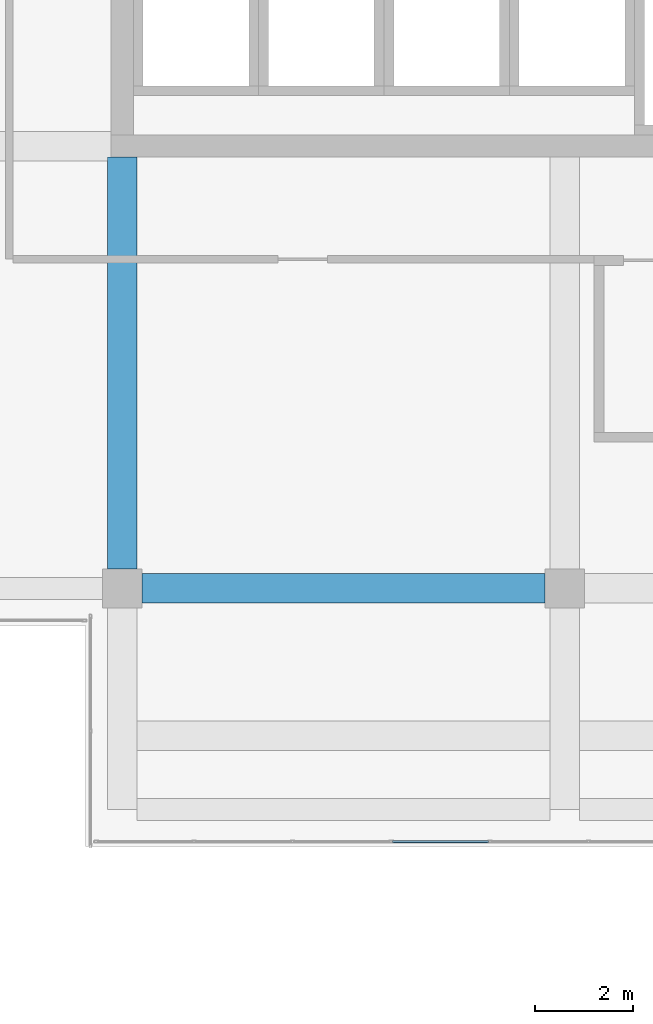
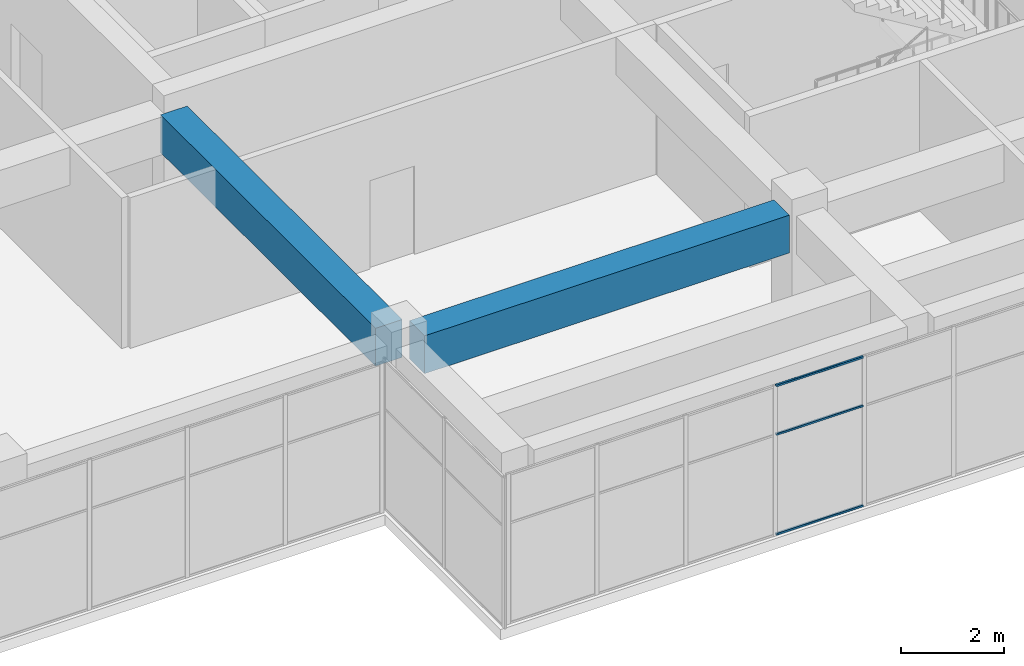
# One storey, part 26 of 72: 3 members, 2 beams, 1 element without a shape of its own.
"""IFC4 building model written with IfcOpenShell, lengths in metres."""

import ifcopenshell
import ifcopenshell.guid

model = None  # the IFC model being written
_history = None  # IfcOwnerHistory: only IFC2X3 demands one
_inside = {}  # id of a spatial element -> (the spatial element, [elements in it])
_under = {}  # id of a project, library or spatial element -> (it, [spatial elements below it])
_declared = {}  # id of a project -> (the project, [libraries it declares])
_typed = {}  # id of a type object -> (the type object, [elements of that type])
_made_of = {}  # id of a material, layer set ... -> (it, [elements and type objects made of it])


def new_model(schema):
    """Start an empty IFC model of exactly this schema.

    Asked for "IFC4X3", IfcOpenShell would pick the latest addendum, in which some entities
    have other attributes; the version numbers below select the first issue.
    IFC2X3 requires an IfcOwnerHistory on every rooted entity: one is made here for all.
    """
    global model, _history
    if schema == "IFC4X3":
        model = ifcopenshell.file(schema_version=(4, 3, 0, 0))
    else:
        model = ifcopenshell.file(schema=schema)
    _inside.clear()
    _under.clear()
    _declared.clear()
    _typed.clear()
    _made_of.clear()
    _history = None
    if model.schema == "IFC2X3":
        org = make("IfcOrganization", Name="unknown")
        user = make(
            "IfcPersonAndOrganization",
            ThePerson=make("IfcPerson", FamilyName="unknown"),
            TheOrganization=org,
        )
        app = make(
            "IfcApplication",
            ApplicationDeveloper=org,
            Version="unknown",
            ApplicationFullName="unknown",
            ApplicationIdentifier="unknown",
        )
        _history = make(
            "IfcOwnerHistory",
            OwningUser=user,
            OwningApplication=app,
            ChangeAction="ADDED",
            CreationDate=0,
        )
    return model


def make(cls, **values):
    """One entity of the class cls with the attributes given. An attribute that is None is left unset."""
    return model.create_entity(
        cls, **{name: value for name, value in values.items() if value is not None}
    )


def rooted(cls, **values):
    """An entity with a GlobalId (a new one), such as an element, a storey or a relation."""
    return make(cls, GlobalId=ifcopenshell.guid.new(), OwnerHistory=_history, **values)


def si_unit(unit_type, name, prefix=None):
    """IfcSIUnit, for example si_unit("LENGTHUNIT", "METRE", prefix="MILLI")."""
    return make("IfcSIUnit", UnitType=unit_type, Prefix=prefix, Name=name)


def assignment(units):
    """IfcUnitAssignment: the units of a project."""
    return None if units is None else make("IfcUnitAssignment", Units=units)


def point(xyz):
    """IfcCartesianPoint."""
    return None if xyz is None else make("IfcCartesianPoint", Coordinates=xyz)


def direction(xyz):
    """IfcDirection."""
    return None if xyz is None else make("IfcDirection", DirectionRatios=xyz)


def frame(location, z_axis=None, x_axis=None):
    """IfcAxis2Placement3D, a coordinate frame: its origin and axes. An axis left out is left unset."""
    return make(
        "IfcAxis2Placement3D",
        Location=point(location),
        Axis=direction(z_axis),
        RefDirection=direction(x_axis),
    )


def frame_2d(location, x_axis=None):
    """IfcAxis2Placement2D, a coordinate frame in the plane: its origin and x axis."""
    return make(
        "IfcAxis2Placement2D", Location=point(location), RefDirection=direction(x_axis)
    )


def origin():
    """The frame at (0, 0, 0) with its axes left unset."""
    return frame((0.0, 0.0, 0.0))


def origin_2d():
    """The frame at (0, 0) in the plane with its x axis left unset."""
    return frame_2d((0.0, 0.0))


def place(relative_to, where):
    """IfcLocalPlacement: puts the frame where relative to a parent placement (None: the world)."""
    return make(
        "IfcLocalPlacement", PlacementRelTo=relative_to, RelativePlacement=where
    )


def context(
    kind, dimensions, precision=None, world=None, true_north=None, identifier=None
):
    """IfcGeometricRepresentationContext, for example the 3D "Model" context."""
    return make(
        "IfcGeometricRepresentationContext",
        ContextIdentifier=identifier,
        ContextType=kind,
        CoordinateSpaceDimension=dimensions,
        Precision=precision,
        WorldCoordinateSystem=world,
        TrueNorth=true_north,
    )


def subcontext(parent, identifier, kind, view, scale=None):
    """IfcGeometricRepresentationSubContext, for example "Body" below "Model"."""
    return make(
        "IfcGeometricRepresentationSubContext",
        ContextIdentifier=identifier,
        ContextType=kind,
        ParentContext=parent,
        TargetScale=scale,
        TargetView=view,
    )


def project(units=None, contexts=None):
    """IfcProject with its units and contexts."""
    return rooted(
        "IfcProject",
        Name="project",
        RepresentationContexts=contexts,
        UnitsInContext=assignment(units),
    )


def spatial(cls, under=None, at=None, **own):
    """A site, building, storey or space (cls), placed at a placement, below another one or the project."""
    s = rooted(cls, ObjectPlacement=at, **own)
    if under is not None:
        _under.setdefault(under.id(), (under, []))[1].append(s)
    return s


def profile(cls, at=None, kind="AREA", **sizes):
    """A parametric profile (cls). Its sizes go by their IFC names, for example OverallWidth=200.0."""
    return make(cls, ProfileType=kind, Position=at, **sizes)


def rectangle(**sizes):
    """IfcRectangleProfileDef."""
    return profile("IfcRectangleProfileDef", **sizes)


def hollow_rectangle(**sizes):
    """IfcRectangleHollowProfileDef."""
    return profile("IfcRectangleHollowProfileDef", **sizes)


def extrude(swept, where, along, depth):
    """IfcExtrudedAreaSolid: the profile swept, set in the frame where, extruded along a direction by depth."""
    return make(
        "IfcExtrudedAreaSolid",
        SweptArea=swept,
        Position=where,
        ExtrudedDirection=direction(along),
        Depth=depth,
    )


def shape(context_of_items, identifier, shape_type, items):
    """IfcShapeRepresentation: the items that make up one representation, for example the "Body"."""
    return make(
        "IfcShapeRepresentation",
        ContextOfItems=context_of_items,
        RepresentationIdentifier=identifier,
        RepresentationType=shape_type,
        Items=items,
    )


def material(Name=None, Category=None):
    """IfcMaterial."""
    return make("IfcMaterial", Name=Name, Category=Category)


def layer(
    of_material, thickness, ventilated=None, Name=None, Category=None, Priority=None
):
    """IfcMaterialLayer: one layer of a wall or slab, of a material (None: an air gap)."""
    return make(
        "IfcMaterialLayer",
        Material=of_material,
        LayerThickness=thickness,
        IsVentilated=ventilated,
        Name=Name,
        Category=Category,
        Priority=Priority,
    )


def layer_set(layers, Name=None):
    """IfcMaterialLayerSet."""
    return make("IfcMaterialLayerSet", MaterialLayers=layers, LayerSetName=Name)


def material_profile(
    of_material, cross_section, Name=None, Category=None, Priority=None
):
    """IfcMaterialProfile: a cross section and its material."""
    return make(
        "IfcMaterialProfile",
        Name=Name,
        Material=of_material,
        Profile=cross_section,
        Priority=Priority,
        Category=Category,
    )


def profile_set(profiles, Name=None, composite=None):
    """IfcMaterialProfileSet."""
    return make(
        "IfcMaterialProfileSet",
        Name=Name,
        MaterialProfiles=profiles,
        CompositeProfile=composite,
    )


def made_of(thing, what):
    """Note that an element or type object is made of a material, layer set ...; save() writes the relation."""
    if what is not None:
        _made_of.setdefault(what.id(), (what, []))[1].append(thing)
    return thing


def type_object(cls, material=None, **own):
    """A type object (cls), such as IfcWallType, which elements share."""
    return made_of(rooted(cls, **own), material)


def element(
    cls,
    number,
    at=None,
    inside=None,
    cuts=None,
    type_object=None,
    material=None,
    context=None,
    identifier="Body",
    shape_type=None,
    held_by="IfcProductDefinitionShape",
    body=None,
    shapes=None,
    **own,
):
    """One element of the class cls, such as IfcWall. Its Tag is "e" and its number.

    at: its placement. inside: the storey or other place that contains it. cuts: it is an
    opening in that element (IfcRelVoidsElement). A single representation is given by context,
    identifier, shape_type and body (its items); several are given by shapes. held_by: the class
    of the entity that holds the representations. save() writes the other relations.
    """
    e = rooted(cls, Tag="e%d" % number, ObjectPlacement=at, **own)
    if body is not None:
        shapes = [shape(context, identifier, shape_type, body)]
    if shapes is not None:
        e.Representation = make(held_by, Representations=shapes)
    if inside is not None:
        _inside.setdefault(inside.id(), (inside, []))[1].append(e)
    if cuts is not None:
        rooted(
            "IfcRelVoidsElement", RelatingBuildingElement=cuts, RelatedOpeningElement=e
        )
    if type_object is not None:
        _typed.setdefault(type_object.id(), (type_object, []))[1].append(e)
    return made_of(e, material)


def aggregate(whole, parts):
    """IfcRelAggregates: a whole, such as a stair, and the parts it consists of."""
    return rooted("IfcRelAggregates", RelatingObject=whole, RelatedObjects=parts)


def save(model, path):
    """Write the relations noted so far, then the file.

    IfcRelAggregates (storeys below a building ...), IfcRelContainedInSpatialStructure (elements
    in a storey), IfcRelDefinesByType, IfcRelAssociatesMaterial and IfcRelDeclares: one each for
    every whole, place, type object, material and project.
    """
    for whole, parts in _under.values():
        aggregate(whole, parts)
    for where, things in _inside.values():
        rooted(
            "IfcRelContainedInSpatialStructure",
            RelatedElements=things,
            RelatingStructure=where,
        )
    for kind, things in _typed.values():
        rooted("IfcRelDefinesByType", RelatedObjects=things, RelatingType=kind)
    for what, things in _made_of.values():
        rooted("IfcRelAssociatesMaterial", RelatedObjects=things, RelatingMaterial=what)
    for by, libraries in _declared.values():
        rooted("IfcRelDeclares", RelatingContext=by, RelatedDefinitions=libraries)
    model.write(path)


model = new_model("IFC4")

# Units and contexts
model_context = context("Model", 3, precision=1e-05, world=origin(), true_north=direction((0.0, 1.0)))
body_context = subcontext(model_context, "Body", "Model", "MODEL_VIEW")
ifc_project = project(units=[si_unit("LENGTHUNIT", "METRE"), si_unit("AREAUNIT", "SQUARE_METRE"), si_unit("VOLUMEUNIT", "CUBIC_METRE"), si_unit("PLANEANGLEUNIT", "RADIAN"), si_unit("MASSUNIT", "GRAM", prefix="KILO")], contexts=[model_context])

# Site, building, storey
site_placement = place(None, origin())
site = spatial("IfcSite", under=ifc_project, at=site_placement, CompositionType="ELEMENT")
building_placement = place(site_placement, origin())
building = spatial("IfcBuilding", under=site, at=building_placement, Name="Tuart Plaza Theatre", CompositionType="ELEMENT")
storey_placement = place(building_placement, frame((0.0, 0.0, 13.5)))
storey = spatial("IfcBuildingStorey", under=building, at=storey_placement, Name="L03", CompositionType="ELEMENT", Elevation=13.5)

# Beams
ifc_material_1 = material(Name="Concrete N40 (40 MPa)", Category="concrete")
ifc_material_profile_1 = material_profile(ifc_material_1, rectangle(XDim=0.60009765625, YDim=0.89990234375, at=origin_2d()), Name="BEAM 600x900 Concrete N40 (40 MPa)")
ifc_profile_set_1 = profile_set([ifc_material_profile_1], Name="Concrete N40 (40 MPa)")
beam_type = type_object("IfcBeamType", Name="BEAM 600x900 Concrete N40 (40 MPa)", PredefinedType="BEAM", material=ifc_profile_set_1)
beam_1_placement = place(storey_placement, frame((123.0, 56.39990234375, 3.1298828125), z_axis=(0.0, 1.0, 0.0), x_axis=(-1.0, 0.0, 0.0)))
element("IfcBeam", 1, at=beam_1_placement, inside=storey, type_object=beam_type, Name="RB175", PredefinedType="BEAM", context=body_context, shape_type="SweptSolid", body=[
    extrude(rectangle(XDim=0.60009765625, YDim=0.89990234375, at=origin_2d()), origin(), (0.0, 0.0, 1.0), 8.375),
])
beam_2_placement = place(storey_placement, frame((123.39990234375, 56.0, 3.1298828125), z_axis=(1.0, 0.0, 0.0), x_axis=(0.0, 1.0, 0.0)))
element("IfcBeam", 2, at=beam_2_placement, inside=storey, type_object=beam_type, Name="RB176", PredefinedType="BEAM", context=body_context, shape_type="SweptSolid", body=[
    extrude(rectangle(XDim=0.60009765625, YDim=0.89990234375, at=origin_2d()), origin(), (0.0, 0.0, 1.0), 8.2001953125),
])

# Curtain wall, members
ifc_material_2 = material(Name="Aluminium and glass", Category="aluminium")
ifc_layer = layer(ifc_material_2, 0.10009765625)
ifc_layer_set = layer_set([ifc_layer], Name="CURTAIN WALL 2000 module")
curtain_wall_type = type_object("IfcCurtainWallType", Name="CURTAIN WALL 2000 module", PredefinedType="NOTDEFINED", material=ifc_layer_set)
curtain_wall_placement = place(storey_placement, origin())
curtain_wall = element("IfcCurtainWall", 3, at=curtain_wall_placement, inside=storey, type_object=curtain_wall_type, Name="CW68", PredefinedType="NOTDEFINED")
ifc_material_3 = material(Name="Aluminium 6063-T5", Category="aluminium")
ifc_material_profile_2 = material_profile(ifc_material_3, hollow_rectangle(XDim=0.050048828125, YDim=0.050048828125, WallThickness=0.00390625, InnerFilletRadius=0.00390625, OuterFilletRadius=0.008056640625, at=origin_2d()), Name="RHS 50x50x4")
ifc_profile_set_2 = profile_set([ifc_material_profile_2], Name="Aluminium 6063-T5")
member_type = type_object("IfcMemberType", Name="TRANSOM RHS 50x50x4", PredefinedType="USERDEFINED", material=ifc_profile_set_2)
member_1_placement = place(storey_placement, frame((128.496337890625, 50.85009765625, 0.02490234375), z_axis=(1.0, 0.0, 0.0), x_axis=(0.0, 1.0, 0.0)))
member_1 = element("IfcMember", 4, at=member_1_placement, type_object=member_type, Name="CW68 transom 4.1", ObjectType="TRANSOM", PredefinedType="USERDEFINED", context=body_context, shape_type="SweptSolid", body=[
    extrude(hollow_rectangle(XDim=0.050048828125, YDim=0.050048828125, WallThickness=0.00390625, InnerFilletRadius=0.00390625, OuterFilletRadius=0.008056640625, at=origin_2d()), origin(), (0.0, 0.0, 1.0), 1.957275390625),
])
member_2_placement = place(storey_placement, frame((128.496337890625, 50.85009765625, 2.39990234375), z_axis=(1.0, 0.0, 0.0), x_axis=(0.0, 1.0, 0.0)))
member_2 = element("IfcMember", 5, at=member_2_placement, type_object=member_type, Name="CW68 transom 4.2", ObjectType="TRANSOM", PredefinedType="USERDEFINED", context=body_context, shape_type="SweptSolid", body=[
    extrude(hollow_rectangle(XDim=0.050048828125, YDim=0.050048828125, WallThickness=0.00390625, InnerFilletRadius=0.00390625, OuterFilletRadius=0.008056640625, at=origin_2d()), origin(), (0.0, 0.0, 1.0), 1.957275390625),
])
member_3_placement = place(storey_placement, frame((128.496337890625, 50.85009765625, 3.554931640625), z_axis=(1.0, 0.0, 0.0), x_axis=(0.0, 1.0, 0.0)))
member_3 = element("IfcMember", 6, at=member_3_placement, type_object=member_type, Name="CW68 transom 4.3", ObjectType="TRANSOM", PredefinedType="USERDEFINED", context=body_context, shape_type="SweptSolid", body=[
    extrude(hollow_rectangle(XDim=0.050048828125, YDim=0.050048828125, WallThickness=0.00390625, InnerFilletRadius=0.00390625, OuterFilletRadius=0.008056640625, at=origin_2d()), origin(), (0.0, 0.0, 1.0), 1.957275390625),
])
aggregate(curtain_wall, [member_1, member_2, member_3])

save(model, "model.ifc")
